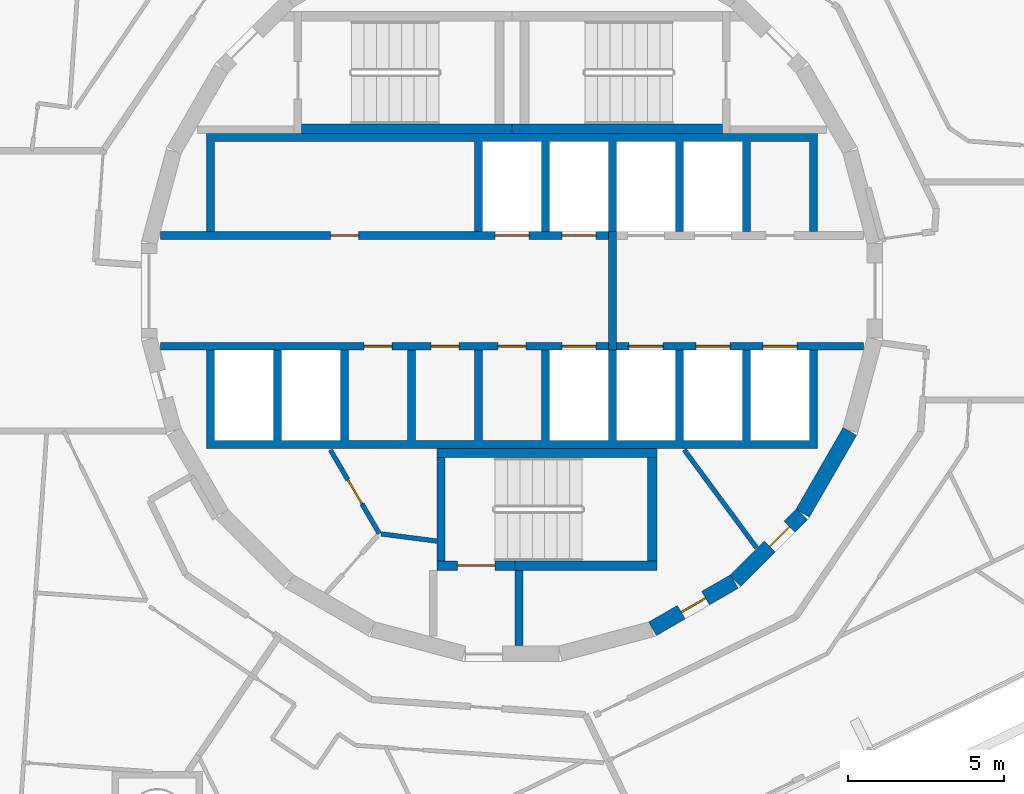
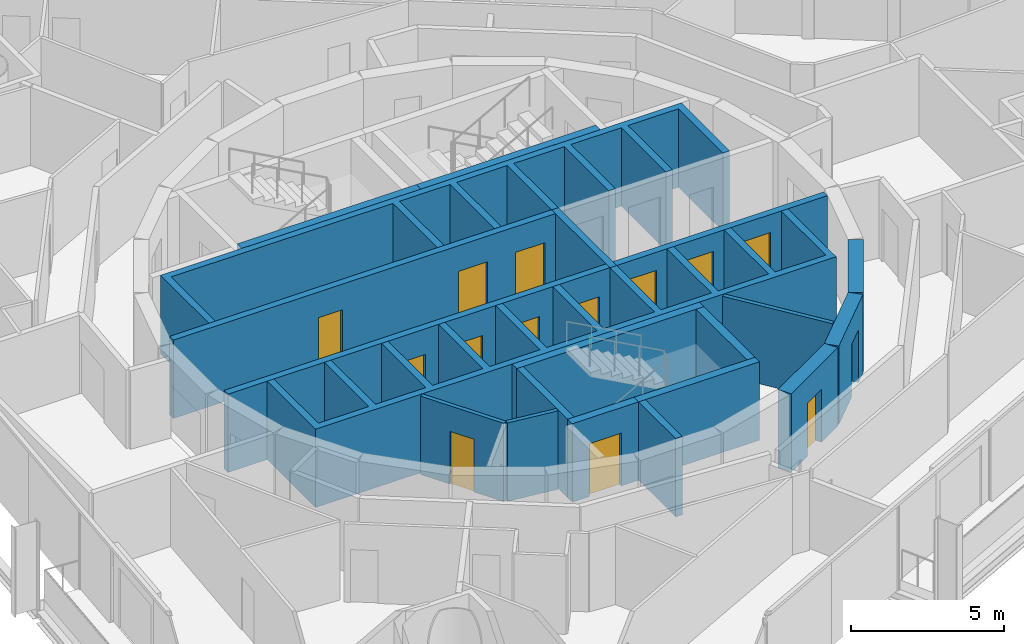
# One storey, part 13 of 18: 20 walls, 14 doors, 14 openings.
"""IFC4 building model written with IfcOpenShell, lengths in metres."""

from ifc_helpers import new_model, si_unit, direction, frame, frame_2d, origin, place, context, subcontext, project, spatial, polyline, rectangle, outline, extrude, material, layer, layer_set, type_object, element, fill, save


model = new_model("IFC4")

# Units and contexts
model_context = context("Model", 3, precision=1e-05, world=origin(), true_north=direction((0.0, 1.0)))
body_context = subcontext(model_context, "Body", "Model", "MODEL_VIEW")
ifc_project = project(units=[si_unit("LENGTHUNIT", "METRE"), si_unit("AREAUNIT", "SQUARE_METRE"), si_unit("VOLUMEUNIT", "CUBIC_METRE"), si_unit("PLANEANGLEUNIT", "RADIAN"), si_unit("MASSUNIT", "GRAM", prefix="KILO")], contexts=[model_context])

# Site, building, storey
site_placement = place(None, origin())
site = spatial("IfcSite", under=ifc_project, at=site_placement, CompositionType="ELEMENT")
building_placement = place(site_placement, origin())
building = spatial("IfcBuilding", under=site, at=building_placement, Name="Spindle Arch Residences", CompositionType="ELEMENT")
storey_placement = place(building_placement, frame((0.0, 0.0, 205.89990234375)))
storey = spatial("IfcBuildingStorey", under=building, at=storey_placement, Name="L52", CompositionType="ELEMENT", Elevation=205.89990234375)

# Wall, opening, door
ifc_material_1 = material(Name="Concrete C50/60", Category="concrete")
ifc_layer_1 = layer(ifc_material_1, 0.5)
ifc_layer_set_1 = layer_set([ifc_layer_1], Name="Core outline wall 500")
wall_type_1 = type_object("IfcWallType", Name="Core outline wall 500", PredefinedType="SHEAR", material=ifc_layer_set_1)
wall_1_placement = place(storey_placement, frame((4.510498046875, -10.84521484375, 0.0), z_axis=(0.0, 0.0, 1.0), x_axis=(0.865975092491, 0.500087131594, 0.0)))
wall_1 = element("IfcWall", 1, at=wall_1_placement, inside=storey, type_object=wall_type_1, Name="Core outline wall 2", PredefinedType="SHEAR", context=body_context, shape_type="SweptSolid", body=[
    extrude(rectangle(XDim=3.03271484375, YDim=0.5, at=frame_2d((1.516357421875, 0.0))), origin(), (0.0, 0.0, 1.0), 3.1201171875),
])
opening_1_placement = place(wall_1_placement, frame((1.06640625, 0.0, 0.0)))
opening_1 = element("IfcOpeningElement", 2, at=opening_1_placement, cuts=wall_1, Name="Opening R5B1-WD08", PredefinedType="OPENING", context=body_context, shape_type="SweptSolid", body=[
    extrude(rectangle(XDim=0.89990234375, YDim=2.10009765625, at=frame_2d((0.449951171875, 1.050048828125))), frame((0.0, 0.260009765625, 0.0), z_axis=(0.0, -1.0, 0.0), x_axis=(1.0, 0.0, 0.0)), (0.0, 0.0, 1.0), 0.52001953125),
])
ifc_material_2 = material(Name="Steel, fire-resisting door", Category="steel")
door_type_1 = type_object("IfcDoorType", Name="Service room door 900x2100", OperationType="SINGLE_SWING_LEFT", PredefinedType="DOOR", material=ifc_material_2)
door_1_placement = place(opening_1_placement, origin())
door_1 = element("IfcDoor", 3, at=door_1_placement, inside=storey, type_object=door_type_1, Name="Service room door R5B1-WD08", OperationType="SINGLE_SWING_RIGHT", OverallHeight=2.10009765625, OverallWidth=0.89990234375, PredefinedType="DOOR", context=body_context, shape_type="SweptSolid", body=[
    extrude(rectangle(XDim=0.89990234375, YDim=2.10009765625, at=frame_2d((0.449951171875, 1.050048828125))), frame((0.0, 0.02490234375, 0.0), z_axis=(0.0, -1.0, 0.0), x_axis=(1.0, 0.0, 0.0)), (0.0, 0.0, 1.0), 0.050048828125),
])
fill(opening_1, door_1)

wall_2_placement = place(storey_placement, frame((7.163818359375, -9.30810546875, 0.0), z_axis=(0.0, 0.0, 1.0), x_axis=(0.707106781187, 0.707106781187, 0.0)))
wall_2 = element("IfcWall", 4, at=wall_2_placement, inside=storey, type_object=wall_type_1, Name="Core outline wall 3", PredefinedType="SHEAR", context=body_context, shape_type="SweptSolid", body=[
    extrude(rectangle(XDim=3.032470703125, YDim=0.5, at=frame_2d((1.51611328125, 0.0))), origin(), (0.0, 0.0, 1.0), 3.1201171875),
])
opening_2_placement = place(wall_2_placement, frame((1.56640625, 0.0, 0.0)))
opening_2 = element("IfcOpeningElement", 5, at=opening_2_placement, cuts=wall_2, Name="Opening R5B1-WD09", PredefinedType="OPENING", context=body_context, shape_type="SweptSolid", body=[
    extrude(rectangle(XDim=0.89990234375, YDim=2.10009765625, at=frame_2d((0.449951171875, 1.050048828125))), frame((0.0, 0.260009765625, 0.0), z_axis=(0.0, -1.0, 0.0), x_axis=(1.0, 0.0, 0.0)), (0.0, 0.0, 1.0), 0.52001953125),
])
door_2_placement = place(opening_2_placement, origin())
door_2 = element("IfcDoor", 6, at=door_2_placement, inside=storey, type_object=door_type_1, Name="Service room door R5B1-WD09", OperationType="SINGLE_SWING_LEFT", OverallHeight=2.10009765625, OverallWidth=0.89990234375, PredefinedType="DOOR", context=body_context, shape_type="SweptSolid", body=[
    extrude(rectangle(XDim=0.89990234375, YDim=2.10009765625, at=frame_2d((0.449951171875, 1.050048828125))), frame((0.0, 0.02490234375, 0.0), z_axis=(0.0, -1.0, 0.0), x_axis=(1.0, 0.0, 0.0)), (0.0, 0.0, 1.0), 0.050048828125),
])
fill(opening_2, door_2)

# Walls
wall_3_placement = place(storey_placement, frame((9.32861328125, -7.13671875, 0.0), z_axis=(0.0, 0.0, 1.0), x_axis=(0.500087131594, 0.865975092491, 0.0)))
element("IfcWall", 7, at=wall_3_placement, inside=storey, type_object=wall_type_1, Name="Core outline wall 4", PredefinedType="SHEAR", context=body_context, shape_type="SweptSolid", body=[
    extrude(rectangle(XDim=3.03271484375, YDim=0.5, at=frame_2d((1.516357421875, 0.0))), origin(), (0.0, 0.0, 1.0), 3.1201171875),
])
ifc_material_3 = material(Name="Concrete C40/50", Category="concrete")
ifc_layer_2 = layer(ifc_material_3, 0.25)
ifc_layer_set_2 = layer_set([ifc_layer_2], Name="Fire-lift lobby wall 250")
wall_type_2 = type_object("IfcWallType", Name="Fire-lift lobby wall 250", PredefinedType="SHEAR", material=ifc_layer_set_2)
wall_4_placement = place(storey_placement, frame((3.22509765625, -1.89990234375, 0.0), z_axis=(0.0, 0.0, 1.0), x_axis=(0.0, 1.0, 0.0)))
element("IfcWall", 8, at=wall_4_placement, inside=storey, type_object=wall_type_2, Name="Fire-fighting lobby partition", PredefinedType="SHEAR", context=body_context, shape_type="SweptSolid", body=[
    extrude(rectangle(XDim=3.7998046875, YDim=0.25, at=frame_2d((1.89990234375, 0.0))), origin(), (0.0, 0.0, 1.0), 3.1201171875),
])

# Wall, openings, doors
ifc_material_4 = material(Name="Concrete C50/60", Category="concrete")
ifc_layer_3 = layer(ifc_material_4, 0.25)
ifc_layer_set_3 = layer_set([ifc_layer_3], Name="Fire-lift shaft wall 250")
wall_type_3 = type_object("IfcWallType", Name="Fire-lift shaft wall 250", PredefinedType="SHEAR", material=ifc_layer_set_3)
wall_5_placement = place(storey_placement, frame((3.35009765625, -1.77490234375, 0.0), z_axis=(0.0, 0.0, 1.0), x_axis=(1.0, 0.0, 0.0)))
wall_5 = element("IfcWall", 9, at=wall_5_placement, inside=storey, type_object=wall_type_3, Name="Lift shaft front wall SE", PredefinedType="SHEAR", context=body_context, shape_type="SweptSolid", body=[
    extrude(rectangle(XDim=7.929931640625, YDim=0.25, at=frame_2d((3.96484375, 0.0))), origin(), (0.0, 0.0, 1.0), 3.1201171875),
])
opening_3_placement = place(wall_5_placement, frame((0.39990234375, 0.0, 0.0)))
opening_3 = element("IfcOpeningElement", 10, at=opening_3_placement, cuts=wall_5, Name="Opening R5B1-FLD01", PredefinedType="OPENING", context=body_context, shape_type="SweptSolid", body=[
    extrude(rectangle(XDim=1.10009765625, YDim=2.39990234375, at=frame_2d((0.550048828125, 1.199951171875))), frame((0.0, 0.135009765625, 0.0), z_axis=(0.0, -1.0, 0.0), x_axis=(1.0, 0.0, 0.0)), (0.0, 0.0, 1.0), 0.27001953125),
])
opening_4_placement = place(wall_5_placement, frame((2.550048828125, 0.0, 0.0)))
opening_4 = element("IfcOpeningElement", 11, at=opening_4_placement, cuts=wall_5, Name="Opening R5B1-FLD02", PredefinedType="OPENING", context=body_context, shape_type="SweptSolid", body=[
    extrude(rectangle(XDim=1.10009765625, YDim=2.39990234375, at=frame_2d((0.550048828125, 1.199951171875))), frame((0.0, 0.135009765625, 0.0), z_axis=(0.0, -1.0, 0.0), x_axis=(1.0, 0.0, 0.0)), (0.0, 0.0, 1.0), 0.27001953125),
])
opening_5_placement = place(wall_5_placement, frame((4.699951171875, 0.0, 0.0)))
opening_5 = element("IfcOpeningElement", 12, at=opening_5_placement, cuts=wall_5, Name="Opening R5B1-FLD03", PredefinedType="OPENING", context=body_context, shape_type="SweptSolid", body=[
    extrude(rectangle(XDim=1.10009765625, YDim=2.39990234375, at=frame_2d((0.550048828125, 1.199951171875))), frame((0.0, 0.135009765625, 0.0), z_axis=(0.0, -1.0, 0.0), x_axis=(1.0, 0.0, 0.0)), (0.0, 0.0, 1.0), 0.27001953125),
])
ifc_material_5 = material(Name="Steel, fire-resisting landing door", Category="steel")
door_type_2 = type_object("IfcDoorType", Name="Fire-fighting lift landing door 1100x2400", OperationType="DOUBLE_DOOR_SLIDING", PredefinedType="DOOR", material=ifc_material_5)
door_3_placement = place(opening_3_placement, origin())
door_3 = element("IfcDoor", 13, at=door_3_placement, inside=storey, type_object=door_type_2, Name="Fire-fighting lift landing door R5B1-FLD01", OperationType="DOUBLE_DOOR_SLIDING", OverallHeight=2.39990234375, OverallWidth=1.10009765625, PredefinedType="DOOR", context=body_context, shape_type="SweptSolid", body=[
    extrude(rectangle(XDim=1.10009765625, YDim=2.39990234375, at=frame_2d((0.550048828125, 1.199951171875))), frame((0.0, 0.02490234375, 0.0), z_axis=(0.0, -1.0, 0.0), x_axis=(1.0, 0.0, 0.0)), (0.0, 0.0, 1.0), 0.050048828125),
])
fill(opening_3, door_3)
door_4_placement = place(opening_4_placement, origin())
door_4 = element("IfcDoor", 14, at=door_4_placement, inside=storey, type_object=door_type_2, Name="Fire-fighting lift landing door R5B1-FLD02", OperationType="DOUBLE_DOOR_SLIDING", OverallHeight=2.39990234375, OverallWidth=1.10009765625, PredefinedType="DOOR", context=body_context, shape_type="SweptSolid", body=[
    extrude(rectangle(XDim=1.10009765625, YDim=2.39990234375, at=frame_2d((0.550048828125, 1.199951171875))), frame((0.0, 0.02490234375, 0.0), z_axis=(0.0, -1.0, 0.0), x_axis=(1.0, 0.0, 0.0)), (0.0, 0.0, 1.0), 0.050048828125),
])
fill(opening_4, door_4)
door_5_placement = place(opening_5_placement, origin())
door_5 = element("IfcDoor", 15, at=door_5_placement, inside=storey, type_object=door_type_2, Name="Fire-fighting lift landing door R5B1-FLD03", OperationType="DOUBLE_DOOR_SLIDING", OverallHeight=2.39990234375, OverallWidth=1.10009765625, PredefinedType="DOOR", context=body_context, shape_type="SweptSolid", body=[
    extrude(rectangle(XDim=1.10009765625, YDim=2.39990234375, at=frame_2d((0.550048828125, 1.199951171875))), frame((0.0, 0.02490234375, 0.0), z_axis=(0.0, -1.0, 0.0), x_axis=(1.0, 0.0, 0.0)), (0.0, 0.0, 1.0), 0.050048828125),
])
fill(opening_5, door_5)

ifc_material_6 = material(Name="Concrete C50/60", Category="concrete")
ifc_layer_4 = layer(ifc_material_6, 0.25)
ifc_layer_set_4 = layer_set([ifc_layer_4], Name="Lift shaft wall 250")
wall_type_4 = type_object("IfcWallType", Name="Lift shaft wall 250", PredefinedType="SHEAR", material=ifc_layer_set_4)
wall_6_placement = place(storey_placement, frame((-11.280029296875, 1.77490234375, 0.0), z_axis=(0.0, 0.0, 1.0), x_axis=(1.0, 0.0, 0.0)))
wall_6 = element("IfcWall", 16, at=wall_6_placement, inside=storey, type_object=wall_type_4, Name="Lift shaft front wall NW", PredefinedType="SHEAR", context=body_context, shape_type="SweptSolid", body=[
    extrude(rectangle(XDim=14.380126953125, YDim=0.25, at=frame_2d((7.18994140625, 0.0))), origin(), (0.0, 0.0, 1.0), 3.1201171875),
])
opening_6_placement = place(wall_6_placement, frame((10.72998046875, 0.0, 0.0)))
opening_6 = element("IfcOpeningElement", 17, at=opening_6_placement, cuts=wall_6, Name="Opening R5B1-LD01", PredefinedType="OPENING", context=body_context, shape_type="SweptSolid", body=[
    extrude(rectangle(XDim=1.10009765625, YDim=2.10009765625, at=frame_2d((0.550048828125, 1.050048828125))), frame((0.0, 0.135009765625, 0.0), z_axis=(0.0, -1.0, 0.0), x_axis=(1.0, 0.0, 0.0)), (0.0, 0.0, 1.0), 0.27001953125),
])
opening_7_placement = place(wall_6_placement, frame((12.8798828125, 0.0, 0.0)))
opening_7 = element("IfcOpeningElement", 18, at=opening_7_placement, cuts=wall_6, Name="Opening R5B1-LD02", PredefinedType="OPENING", context=body_context, shape_type="SweptSolid", body=[
    extrude(rectangle(XDim=1.10009765625, YDim=2.10009765625, at=frame_2d((0.550048828125, 1.050048828125))), frame((0.0, 0.135009765625, 0.0), z_axis=(0.0, -1.0, 0.0), x_axis=(1.0, 0.0, 0.0)), (0.0, 0.0, 1.0), 0.27001953125),
])
opening_8_placement = place(wall_6_placement, frame((5.455078125, 0.0, 0.0)))
opening_8 = element("IfcOpeningElement", 19, at=opening_8_placement, cuts=wall_6, Name="Opening R5B1-WD01", PredefinedType="OPENING", context=body_context, shape_type="SweptSolid", body=[
    extrude(rectangle(XDim=0.89990234375, YDim=2.10009765625, at=frame_2d((0.449951171875, 1.050048828125))), frame((0.0, 0.135009765625, 0.0), z_axis=(0.0, -1.0, 0.0), x_axis=(1.0, 0.0, 0.0)), (0.0, 0.0, 1.0), 0.27001953125),
])
ifc_material_7 = material(Name="Steel, fire-resisting landing door", Category="steel")
door_type_3 = type_object("IfcDoorType", Name="Lift landing door 1100x2100", OperationType="DOUBLE_DOOR_SLIDING", PredefinedType="DOOR", material=ifc_material_7)
door_6_placement = place(opening_6_placement, origin())
door_6 = element("IfcDoor", 20, at=door_6_placement, inside=storey, type_object=door_type_3, Name="Lift landing door R5B1-LD01", OperationType="DOUBLE_DOOR_SLIDING", OverallHeight=2.10009765625, OverallWidth=1.10009765625, PredefinedType="DOOR", context=body_context, shape_type="SweptSolid", body=[
    extrude(rectangle(XDim=1.10009765625, YDim=2.10009765625, at=frame_2d((0.550048828125, 1.050048828125))), frame((0.0, 0.02490234375, 0.0), z_axis=(0.0, -1.0, 0.0), x_axis=(1.0, 0.0, 0.0)), (0.0, 0.0, 1.0), 0.050048828125),
])
fill(opening_6, door_6)
door_7_placement = place(opening_7_placement, origin())
door_7 = element("IfcDoor", 21, at=door_7_placement, inside=storey, type_object=door_type_3, Name="Lift landing door R5B1-LD02", OperationType="DOUBLE_DOOR_SLIDING", OverallHeight=2.10009765625, OverallWidth=1.10009765625, PredefinedType="DOOR", context=body_context, shape_type="SweptSolid", body=[
    extrude(rectangle(XDim=1.10009765625, YDim=2.10009765625, at=frame_2d((0.550048828125, 1.050048828125))), frame((0.0, 0.02490234375, 0.0), z_axis=(0.0, -1.0, 0.0), x_axis=(1.0, 0.0, 0.0)), (0.0, 0.0, 1.0), 0.050048828125),
])
fill(opening_7, door_7)
door_8_placement = place(opening_8_placement, origin())
door_8 = element("IfcDoor", 22, at=door_8_placement, inside=storey, type_object=door_type_1, Name="Service room door R5B1-WD01", OperationType="SINGLE_SWING_LEFT", OverallHeight=2.10009765625, OverallWidth=0.89990234375, PredefinedType="DOOR", context=body_context, shape_type="SweptSolid", body=[
    extrude(rectangle(XDim=0.89990234375, YDim=2.10009765625, at=frame_2d((0.449951171875, 1.050048828125))), frame((0.0, 0.02490234375, 0.0), z_axis=(0.0, -1.0, 0.0), x_axis=(1.0, 0.0, 0.0)), (0.0, 0.0, 1.0), 0.050048828125),
])
fill(opening_8, door_8)

wall_7_placement = place(storey_placement, frame((-11.280029296875, -1.77490234375, 0.0), z_axis=(0.0, 0.0, 1.0), x_axis=(1.0, 0.0, 0.0)))
wall_7 = element("IfcWall", 23, at=wall_7_placement, inside=storey, type_object=wall_type_4, Name="Lift shaft front wall SW", PredefinedType="SHEAR", context=body_context, shape_type="SweptSolid", body=[
    extrude(rectangle(XDim=14.380126953125, YDim=0.25, at=frame_2d((7.18994140625, 0.0))), origin(), (0.0, 0.0, 1.0), 3.1201171875),
])
opening_9_placement = place(wall_7_placement, frame((12.8798828125, 0.0, 0.0)))
opening_9 = element("IfcOpeningElement", 24, at=opening_9_placement, cuts=wall_7, Name="Opening R5B1-LD03", PredefinedType="OPENING", context=body_context, shape_type="SweptSolid", body=[
    extrude(rectangle(XDim=1.10009765625, YDim=2.10009765625, at=frame_2d((0.550048828125, 1.050048828125))), frame((0.0, 0.135009765625, 0.0), z_axis=(0.0, -1.0, 0.0), x_axis=(1.0, 0.0, 0.0)), (0.0, 0.0, 1.0), 0.27001953125),
])
opening_10_placement = place(wall_7_placement, frame((6.530029296875, 0.0, 0.0)))
opening_10 = element("IfcOpeningElement", 25, at=opening_10_placement, cuts=wall_7, Name="Opening R5B1-WD03", PredefinedType="OPENING", context=body_context, shape_type="SweptSolid", body=[
    extrude(rectangle(XDim=0.89990234375, YDim=2.10009765625, at=frame_2d((0.449951171875, 1.050048828125))), frame((0.0, 0.135009765625, 0.0), z_axis=(0.0, -1.0, 0.0), x_axis=(1.0, 0.0, 0.0)), (0.0, 0.0, 1.0), 0.27001953125),
])
opening_11_placement = place(wall_7_placement, frame((8.679931640625, 0.0, 0.0)))
opening_11 = element("IfcOpeningElement", 26, at=opening_11_placement, cuts=wall_7, Name="Opening R5B1-WD04", PredefinedType="OPENING", context=body_context, shape_type="SweptSolid", body=[
    extrude(rectangle(XDim=0.89990234375, YDim=2.10009765625, at=frame_2d((0.449951171875, 1.050048828125))), frame((0.0, 0.135009765625, 0.0), z_axis=(0.0, -1.0, 0.0), x_axis=(1.0, 0.0, 0.0)), (0.0, 0.0, 1.0), 0.27001953125),
])
opening_12_placement = place(wall_7_placement, frame((10.830078125, 0.0, 0.0)))
opening_12 = element("IfcOpeningElement", 27, at=opening_12_placement, cuts=wall_7, Name="Opening R5B1-WD05", PredefinedType="OPENING", context=body_context, shape_type="SweptSolid", body=[
    extrude(rectangle(XDim=0.89990234375, YDim=2.10009765625, at=frame_2d((0.449951171875, 1.050048828125))), frame((0.0, 0.135009765625, 0.0), z_axis=(0.0, -1.0, 0.0), x_axis=(1.0, 0.0, 0.0)), (0.0, 0.0, 1.0), 0.27001953125),
])
door_9_placement = place(opening_9_placement, origin())
door_9 = element("IfcDoor", 28, at=door_9_placement, inside=storey, type_object=door_type_3, Name="Lift landing door R5B1-LD03", OperationType="DOUBLE_DOOR_SLIDING", OverallHeight=2.10009765625, OverallWidth=1.10009765625, PredefinedType="DOOR", context=body_context, shape_type="SweptSolid", body=[
    extrude(rectangle(XDim=1.10009765625, YDim=2.10009765625, at=frame_2d((0.550048828125, 1.050048828125))), frame((0.0, 0.02490234375, 0.0), z_axis=(0.0, -1.0, 0.0), x_axis=(1.0, 0.0, 0.0)), (0.0, 0.0, 1.0), 0.050048828125),
])
fill(opening_9, door_9)
door_10_placement = place(opening_10_placement, origin())
door_10 = element("IfcDoor", 29, at=door_10_placement, inside=storey, type_object=door_type_1, Name="Service room door R5B1-WD03", OperationType="SINGLE_SWING_LEFT", OverallHeight=2.10009765625, OverallWidth=0.89990234375, PredefinedType="DOOR", context=body_context, shape_type="SweptSolid", body=[
    extrude(rectangle(XDim=0.89990234375, YDim=2.10009765625, at=frame_2d((0.449951171875, 1.050048828125))), frame((0.0, 0.02490234375, 0.0), z_axis=(0.0, -1.0, 0.0), x_axis=(1.0, 0.0, 0.0)), (0.0, 0.0, 1.0), 0.050048828125),
])
fill(opening_10, door_10)
door_11_placement = place(opening_11_placement, origin())
door_11 = element("IfcDoor", 30, at=door_11_placement, inside=storey, type_object=door_type_1, Name="Service room door R5B1-WD04", OperationType="SINGLE_SWING_RIGHT", OverallHeight=2.10009765625, OverallWidth=0.89990234375, PredefinedType="DOOR", context=body_context, shape_type="SweptSolid", body=[
    extrude(rectangle(XDim=0.89990234375, YDim=2.10009765625, at=frame_2d((0.449951171875, 1.050048828125))), frame((0.0, 0.02490234375, 0.0), z_axis=(0.0, -1.0, 0.0), x_axis=(1.0, 0.0, 0.0)), (0.0, 0.0, 1.0), 0.050048828125),
])
fill(opening_11, door_11)
door_12_placement = place(opening_12_placement, origin())
door_12 = element("IfcDoor", 31, at=door_12_placement, inside=storey, type_object=door_type_1, Name="Service room door R5B1-WD05", OperationType="SINGLE_SWING_LEFT", OverallHeight=2.10009765625, OverallWidth=0.89990234375, PredefinedType="DOOR", context=body_context, shape_type="SweptSolid", body=[
    extrude(rectangle(XDim=0.89990234375, YDim=2.10009765625, at=frame_2d((0.449951171875, 1.050048828125))), frame((0.0, 0.02490234375, 0.0), z_axis=(0.0, -1.0, 0.0), x_axis=(1.0, 0.0, 0.0)), (0.0, 0.0, 1.0), 0.050048828125),
])
fill(opening_12, door_12)

# Walls
ifc_material_8 = material(Name="Concrete C50/60", Category="concrete")
wall_type_5 = type_object("IfcWallType", Name="Lift shaft wall profile", PredefinedType="SHEAR", material=ifc_material_8)
wall_8_placement = place(storey_placement, origin())
element("IfcWall", 32, at=wall_8_placement, inside=storey, type_object=wall_type_5, Name="Lift shaft walls N", PredefinedType="SHEAR", context=body_context, shape_type="SweptSolid", body=[
    extrude(outline(polyline([(-9.550048828125, 4.800048828125), (-1.199951171875, 4.800048828125), (-1.199951171875, 1.89990234375), (-0.949951171875, 1.89990234375), (-0.949951171875, 4.800048828125), (0.949951171875, 4.800048828125), (0.949951171875, 1.89990234375), (1.199951171875, 1.89990234375), (1.199951171875, 4.800048828125), (3.10009765625, 4.800048828125), (3.10009765625, 1.89990234375), (3.35009765625, 1.89990234375), (3.35009765625, 4.800048828125), (5.25, 4.800048828125), (5.25, 1.89990234375), (5.5, 1.89990234375), (5.5, 4.800048828125), (7.39990234375, 4.800048828125), (7.39990234375, 1.89990234375), (7.64990234375, 1.89990234375), (7.64990234375, 4.800048828125), (9.550048828125, 4.800048828125), (9.550048828125, 1.89990234375), (9.800048828125, 1.89990234375), (9.800048828125, 4.800048828125), (9.800048828125, 5.050048828125), (-9.800048828125, 5.050048828125), (-9.800048828125, 4.800048828125), (-9.800048828125, 1.89990234375), (-9.550048828125, 1.89990234375), (-9.550048828125, 4.800048828125)])), origin(), (0.0, 0.0, 1.0), 3.1201171875),
])
wall_9_placement = place(storey_placement, origin())
element("IfcWall", 33, at=wall_9_placement, inside=storey, type_object=wall_type_5, Name="Lift shaft walls S", PredefinedType="SHEAR", context=body_context, shape_type="SweptSolid", body=[
    extrude(outline(polyline([(9.800048828125, -5.050048828125), (9.800048828125, -4.800048828125), (9.800048828125, -1.89990234375), (9.550048828125, -1.89990234375), (9.550048828125, -4.800048828125), (7.64990234375, -4.800048828125), (7.64990234375, -1.89990234375), (7.39990234375, -1.89990234375), (7.39990234375, -4.800048828125), (5.5, -4.800048828125), (5.5, -1.89990234375), (5.25, -1.89990234375), (5.25, -4.800048828125), (3.35009765625, -4.800048828125), (3.35009765625, -1.89990234375), (3.10009765625, -1.89990234375), (3.10009765625, -4.800048828125), (1.199951171875, -4.800048828125), (1.199951171875, -1.89990234375), (0.949951171875, -1.89990234375), (0.949951171875, -4.800048828125), (-0.949951171875, -4.800048828125), (-0.949951171875, -1.89990234375), (-1.199951171875, -1.89990234375), (-1.199951171875, -4.800048828125), (-3.10009765625, -4.800048828125), (-3.10009765625, -1.89990234375), (-3.35009765625, -1.89990234375), (-3.35009765625, -4.800048828125), (-5.25, -4.800048828125), (-5.25, -1.89990234375), (-5.5, -1.89990234375), (-5.5, -4.800048828125), (-7.39990234375, -4.800048828125), (-7.39990234375, -1.89990234375), (-7.64990234375, -1.89990234375), (-7.64990234375, -4.800048828125), (-9.550048828125, -4.800048828125), (-9.550048828125, -1.89990234375), (-9.800048828125, -1.89990234375), (-9.800048828125, -4.800048828125), (-9.800048828125, -5.050048828125), (9.800048828125, -5.050048828125)])), origin(), (0.0, 0.0, 1.0), 3.1201171875),
])
ifc_material_9 = material(Name="Concrete C25/30", Category="concrete")
ifc_layer_5 = layer(ifc_material_9, 0.14990234375)
ifc_layer_set_5 = layer_set([ifc_layer_5], Name="Service room partition 150")
wall_type_6 = type_object("IfcWallType", Name="Service room partition 150", PredefinedType="PARTITIONING", material=ifc_layer_set_5)
wall_10_placement = place(storey_placement, frame((5.528076171875, -5.098388671875, 0.0), z_axis=(0.0, 0.0, 1.0), x_axis=(0.594034318069, -0.804439698769, 0.0)))
element("IfcWall", 34, at=wall_10_placement, inside=storey, type_object=wall_type_6, Name="Core service room partition", PredefinedType="PARTITIONING", context=body_context, shape_type="SweptSolid", body=[
    extrude(rectangle(XDim=3.90673828125, YDim=0.14990234375, at=frame_2d((1.953369140625, 0.0))), origin(), (0.0, 0.0, 1.0), 3.1201171875),
])

# Wall, opening, door
wall_11_placement = place(storey_placement, frame((-5.8291015625, -5.101806640625, 0.0), z_axis=(0.0, 0.0, 1.0), x_axis=(0.504480008384, -0.863423373057, 0.0)))
wall_11 = element("IfcWall", 35, at=wall_11_placement, inside=storey, type_object=wall_type_6, Name="Core service room partition", PredefinedType="PARTITIONING", context=body_context, shape_type="SweptSolid", body=[
    extrude(rectangle(XDim=3.115234375, YDim=0.14990234375, at=frame_2d((1.5576171875, 0.0))), origin(), (0.0, 0.0, 1.0), 3.1201171875),
])
opening_13_placement = place(wall_11_placement, frame((1.107421875, 0.0, 0.0)))
opening_13 = element("IfcOpeningElement", 36, at=opening_13_placement, cuts=wall_11, Name="Opening R5B1-WD07", PredefinedType="OPENING", context=body_context, shape_type="SweptSolid", body=[
    extrude(rectangle(XDim=0.89990234375, YDim=2.10009765625, at=frame_2d((0.449951171875, 1.050048828125))), frame((0.0, 0.0849609375, 0.0), z_axis=(0.0, -1.0, 0.0), x_axis=(1.0, 0.0, 0.0)), (0.0, 0.0, 1.0), 0.169921875),
])
door_13_placement = place(opening_13_placement, origin())
door_13 = element("IfcDoor", 37, at=door_13_placement, inside=storey, type_object=door_type_1, Name="Service room door R5B1-WD07", OperationType="SINGLE_SWING_LEFT", OverallHeight=2.10009765625, OverallWidth=0.89990234375, PredefinedType="DOOR", context=body_context, shape_type="SweptSolid", body=[
    extrude(rectangle(XDim=0.89990234375, YDim=2.10009765625, at=frame_2d((0.449951171875, 1.050048828125))), frame((0.0, 0.02490234375, 0.0), z_axis=(0.0, -1.0, 0.0), x_axis=(1.0, 0.0, 0.0)), (0.0, 0.0, 1.0), 0.050048828125),
])
fill(opening_13, door_13)

# Walls
wall_12_placement = place(storey_placement, frame((-4.197998046875, -7.79931640625, 0.0), z_axis=(0.0, 0.0, 1.0), x_axis=(0.991686747293, -0.128675542523, 0.0)))
element("IfcWall", 38, at=wall_12_placement, inside=storey, type_object=wall_type_6, Name="Core service room partition", PredefinedType="PARTITIONING", context=body_context, shape_type="SweptSolid", body=[
    extrude(rectangle(XDim=1.79296875, YDim=0.14990234375, at=frame_2d((0.896484375, 0.0))), origin(), (0.0, 0.0, 1.0), 3.1201171875),
])
ifc_material_10 = material(Name="Concrete C40/50", Category="concrete")
ifc_layer_6 = layer(ifc_material_10, 0.25)
ifc_layer_set_6 = layer_set([ifc_layer_6], Name="Stair airlock wall 250")
wall_type_7 = type_object("IfcWallType", Name="Stair airlock wall 250", PredefinedType="SHEAR", material=ifc_layer_set_6)
wall_13_placement = place(storey_placement, frame((0.22509765625, -8.969970703125, 0.0), z_axis=(0.0, 0.0, 1.0), x_axis=(0.0, -1.0, 0.0)))
element("IfcWall", 39, at=wall_13_placement, inside=storey, type_object=wall_type_7, Name="Stair ST-3 airlock wall E", PredefinedType="SHEAR", context=body_context, shape_type="SweptSolid", body=[
    extrude(rectangle(XDim=2.409912109375, YDim=0.25, at=frame_2d((1.205078125, 0.0))), origin(), (0.0, 0.0, 1.0), 3.1201171875),
])
ifc_material_11 = material(Name="Concrete C50/60", Category="concrete")
ifc_layer_7 = layer(ifc_material_11, 0.25)
ifc_layer_set_7 = layer_set([ifc_layer_7], Name="Stair enclosure wall 250")
wall_type_8 = type_object("IfcWallType", Name="Stair enclosure wall 250", PredefinedType="SHEAR", material=ifc_layer_set_7)
wall_14_placement = place(storey_placement, frame((-2.27490234375, -8.669921875, 0.0), z_axis=(0.0, 0.0, 1.0), x_axis=(0.0, 1.0, 0.0)))
element("IfcWall", 40, at=wall_14_placement, inside=storey, type_object=wall_type_8, Name="Stair ST-3 enclosure wall W", PredefinedType="SHEAR", context=body_context, shape_type="SweptSolid", body=[
    extrude(rectangle(XDim=3.31982421875, YDim=0.25, at=frame_2d((1.659912109375, 0.0))), origin(), (0.0, 0.0, 1.0), 3.1201171875),
])
ifc_material_12 = material(Name="Concrete C50/60", Category="concrete")
ifc_layer_8 = layer(ifc_material_12, 0.300048828125)
ifc_layer_set_8 = layer_set([ifc_layer_8], Name="Stair enclosure wall 300")
wall_type_9 = type_object("IfcWallType", Name="Stair enclosure wall 300", PredefinedType="SHEAR", material=ifc_layer_set_8)
for number, where, z_axis, x_axis, name in (
    (41, (0.0, 5.199951171875, 0.0), (0.0, 0.0, 1.0), (1.0, 0.0, 0.0), "Stair ST-1 enclosure wall S"),
    (42, (-6.75, 5.199951171875, 0.0), (0.0, 0.0, 1.0), (1.0, 0.0, 0.0), "Stair ST-2 enclosure wall S"),
):
    element("IfcWall", number, at=place(storey_placement, frame(where, z_axis=z_axis, x_axis=x_axis)), inside=storey, type_object=wall_type_9, Name=name, PredefinedType="SHEAR", context=body_context, shape_type="SweptSolid", body=[
        extrude(rectangle(XDim=6.75, YDim=0.300048828125, at=frame_2d((3.375, 0.0))), origin(), (0.0, 0.0, 1.0), 3.1201171875),
    ])
wall_15_placement = place(storey_placement, frame((-2.39990234375, -5.199951171875, 0.0), z_axis=(0.0, 0.0, 1.0), x_axis=(1.0, 0.0, 0.0)))
element("IfcWall", 43, at=wall_15_placement, inside=storey, type_object=wall_type_9, Name="Stair ST-3 enclosure wall N", PredefinedType="SHEAR", context=body_context, shape_type="SweptSolid", body=[
    extrude(rectangle(XDim=7.0498046875, YDim=0.300048828125, at=frame_2d((3.52490234375, 0.0))), origin(), (0.0, 0.0, 1.0), 3.1201171875),
])
wall_16_placement = place(storey_placement, frame((4.5, -8.669921875, 0.0), z_axis=(0.0, 0.0, 1.0), x_axis=(0.0, 1.0, 0.0)))
element("IfcWall", 44, at=wall_16_placement, inside=storey, type_object=wall_type_9, Name="Stair ST-3 enclosure wall E", PredefinedType="SHEAR", context=body_context, shape_type="SweptSolid", body=[
    extrude(rectangle(XDim=3.31982421875, YDim=0.300048828125, at=frame_2d((1.659912109375, 0.0))), origin(), (0.0, 0.0, 1.0), 3.1201171875),
])
wall_17_placement = place(storey_placement, frame((0.10009765625, -8.820068359375, 0.0), z_axis=(0.0, 0.0, 1.0), x_axis=(1.0, 0.0, 0.0)))
element("IfcWall", 45, at=wall_17_placement, inside=storey, type_object=wall_type_9, Name="Stair ST-3 enclosure wall S", PredefinedType="SHEAR", context=body_context, shape_type="SweptSolid", body=[
    extrude(rectangle(XDim=4.5498046875, YDim=0.300048828125, at=frame_2d((2.27490234375, 0.0))), origin(), (0.0, 0.0, 1.0), 3.1201171875),
])

# Wall, opening, door
wall_18_placement = place(storey_placement, frame((-2.39990234375, -8.820068359375, 0.0), z_axis=(0.0, 0.0, 1.0), x_axis=(1.0, 0.0, 0.0)))
wall_18 = element("IfcWall", 46, at=wall_18_placement, inside=storey, type_object=wall_type_9, Name="Stair ST-3 door wall", PredefinedType="SHEAR", context=body_context, shape_type="SweptSolid", body=[
    extrude(rectangle(XDim=2.5, YDim=0.300048828125, at=frame_2d((1.25, 0.0))), origin(), (0.0, 0.0, 1.0), 3.1201171875),
])
opening_14_placement = place(wall_18_placement, frame((0.64990234375, 0.0, 0.0)))
opening_14 = element("IfcOpeningElement", 47, at=opening_14_placement, cuts=wall_18, Name="Opening R5B1-SD03", PredefinedType="OPENING", context=body_context, shape_type="SweptSolid", body=[
    extrude(rectangle(XDim=1.199951171875, YDim=2.10009765625, at=frame_2d((0.60009765625, 1.050048828125))), frame((0.0, 0.16015625, 0.0), z_axis=(0.0, -1.0, 0.0), x_axis=(1.0, 0.0, 0.0)), (0.0, 0.0, 1.0), 0.320068359375),
])
ifc_material_13 = material(Name="Steel, fire-resisting door", Category="steel")
door_type_4 = type_object("IfcDoorType", Name="Stair door 1200x2100", OperationType="SINGLE_SWING_RIGHT", PredefinedType="DOOR", material=ifc_material_13)
door_14_placement = place(opening_14_placement, origin())
door_14 = element("IfcDoor", 48, at=door_14_placement, inside=storey, type_object=door_type_4, Name="Stair door R5B1-SD03", OperationType="SINGLE_SWING_LEFT", OverallHeight=2.10009765625, OverallWidth=1.199951171875, PredefinedType="DOOR", context=body_context, shape_type="SweptSolid", body=[
    extrude(rectangle(XDim=1.199951171875, YDim=2.10009765625, at=frame_2d((0.60009765625, 1.050048828125))), frame((0.0, 0.02490234375, 0.0), z_axis=(0.0, -1.0, 0.0), x_axis=(1.0, 0.0, 0.0)), (0.0, 0.0, 1.0), 0.050048828125),
])
fill(opening_14, door_14)

save(model, "model.ifc")
